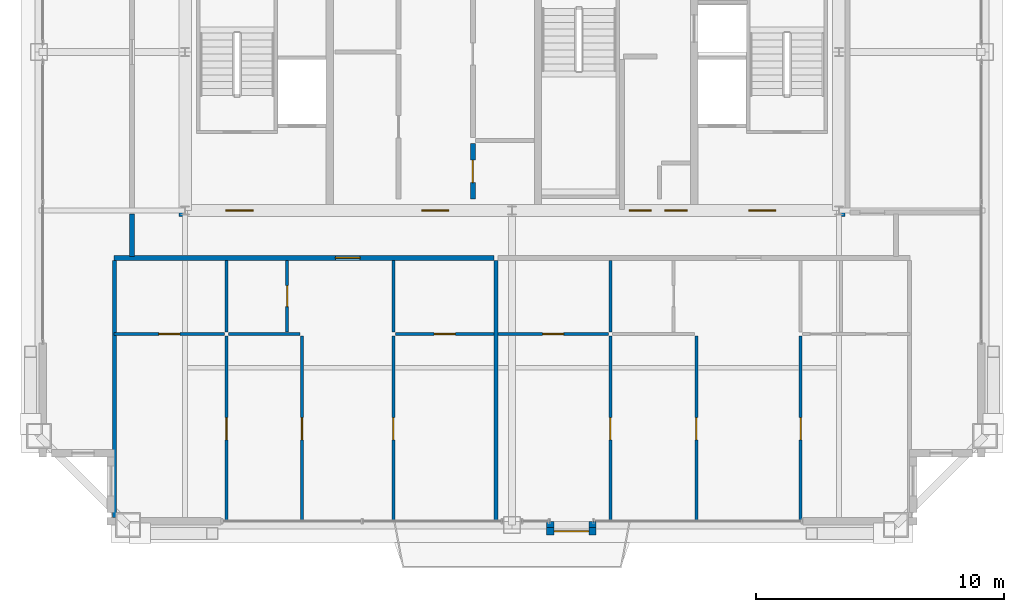
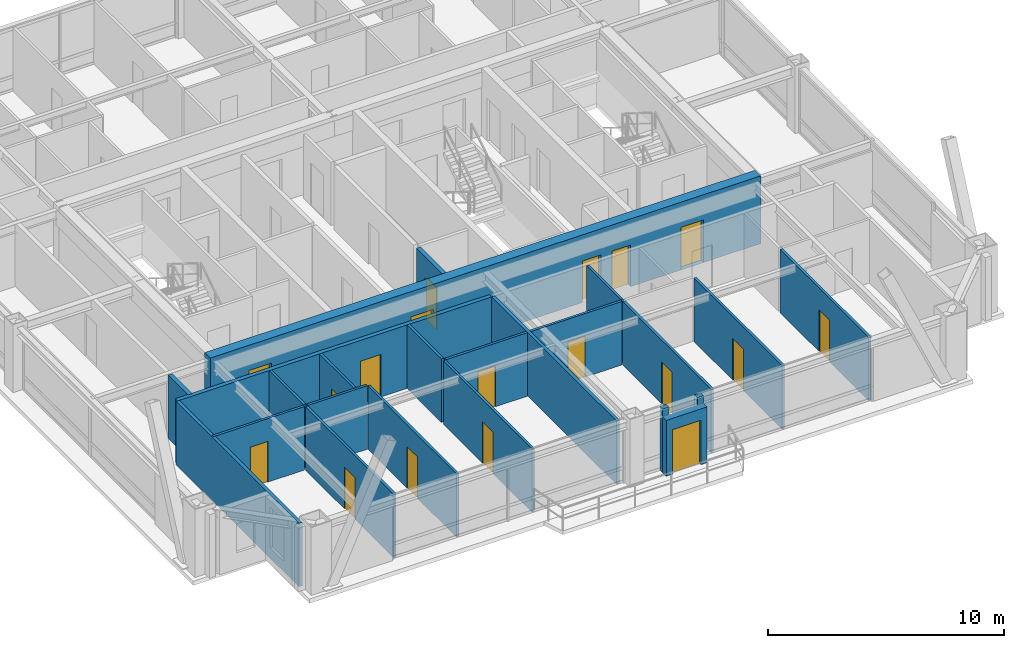
# One storey, part 30 of 35: 23 walls, 18 doors, 18 openings.
"""IFC4 building model written with IfcOpenShell, lengths in metres."""

from ifc_helpers import new_model, si_unit, direction, frame, frame_2d, origin, place, context, subcontext, project, spatial, rectangle, extrude, source, transform, mapped, material, layer, layer_set, type_object, element, fill, save


model = new_model("IFC4")

# Units and contexts
model_context = context("Model", 3, precision=1e-05, world=origin(), true_north=direction((0.0, 1.0)))
body_context = subcontext(model_context, "Body", "Model", "MODEL_VIEW")
ifc_project = project(units=[si_unit("LENGTHUNIT", "METRE"), si_unit("AREAUNIT", "SQUARE_METRE"), si_unit("VOLUMEUNIT", "CUBIC_METRE"), si_unit("PLANEANGLEUNIT", "RADIAN"), si_unit("MASSUNIT", "GRAM", prefix="KILO"), si_unit("THERMODYNAMICTEMPERATUREUNIT", "KELVIN"), si_unit("POWERUNIT", "WATT")], contexts=[model_context])

# Site, building, storey
site_placement = place(None, origin())
site = spatial("IfcSite", under=ifc_project, at=site_placement, CompositionType="ELEMENT")
building_placement = place(site_placement, origin())
building = spatial("IfcBuilding", under=site, at=building_placement, Name="Yuzanri Waterfront Tower", CompositionType="ELEMENT")
storey_placement = place(building_placement, frame((0.0, 0.0, 299.60009765625)))
storey = spatial("IfcBuildingStorey", under=building, at=storey_placement, Name="L80", CompositionType="ELEMENT", Elevation=299.60009765625)

# Wall, opening, door
ifc_material_1 = material(Name="Moisture-Resistant Gypsum Stud Wall", Category="gypsum")
ifc_layer_1 = layer(ifc_material_1, 0.1201171875)
ifc_layer_set_1 = layer_set([ifc_layer_1], Name="Moisture-Resistant Gypsum Stud Wall")
wall_type_1 = type_object("IfcWallType", Name="Bathroom and Kitchen Wet Partition 120", PredefinedType="PARTITIONING", material=ifc_layer_set_1)
wall_1_placement = place(storey_placement, frame((20.93994140625, 14.409912109375, 0.0), z_axis=(0.0, 0.0, 1.0), x_axis=(1.0, 0.0, 0.0)))
wall_1 = element("IfcWall", 1, at=wall_1_placement, inside=storey, type_object=wall_type_1, Name="L80 Partition UW-L80-HS1-SUB-1-S", PredefinedType="PARTITIONING", context=body_context, shape_type="SweptSolid", body=[
    extrude(rectangle(XDim=4.449951171875, YDim=0.1201171875, at=frame_2d((2.22509765625, 0.0))), origin(), (0.0, 0.0, 1.0), 3.27978515625),
])
opening_1_placement = place(wall_1_placement, frame((1.800048828125, 0.0, 0.0)))
opening_1 = element("IfcOpeningElement", 2, at=opening_1_placement, cuts=wall_1, Name="Opening ID-0850", PredefinedType="OPENING", context=body_context, shape_type="SweptSolid", body=[
    extrude(rectangle(XDim=0.85009765625, YDim=2.10009765625, at=frame_2d((0.425048828125, 1.050048828125))), frame((0.0, 0.074951171875, 0.0), z_axis=(0.0, -1.0, 0.0), x_axis=(1.0, 0.0, 0.0)), (0.0, 0.0, 1.0), 0.14990234375),
])
ifc_material_2 = material(Name="Moisture-Resistant Lacquered Timber", Category="wood")
door_type_1 = type_object("IfcDoorType", Name="En-Suite Bathroom and Kitchen Swing Door 850x2100", OperationType="NOTDEFINED", PredefinedType="DOOR", material=ifc_material_2)
shared_shape_1 = source(origin(), body_context, "Body", "SweptSolid", [
    extrude(rectangle(XDim=0.85009765625, YDim=2.10009765625, at=frame_2d((0.425048828125, 1.050048828125))), frame((0.0, 0.02490234375, 0.0), z_axis=(0.0, -1.0, 0.0), x_axis=(1.0, 0.0, 0.0)), (0.0, 0.0, 1.0), 0.050048828125),
])
door_1_placement = place(opening_1_placement, origin())
door_1 = element("IfcDoor", 3, at=door_1_placement, inside=storey, type_object=door_type_1, Name="L80 Suite Interior Room Door", OperationType="SINGLE_SWING_RIGHT", OverallHeight=2.10009765625, OverallWidth=0.85009765625, PredefinedType="DOOR", context=body_context, shape_type="MappedRepresentation", body=[
    mapped(shared_shape_1, transform((0.0, 0.0, 0.0), scale=1.0)),
])
fill(opening_1, door_1)

wall_2_placement = place(storey_placement, frame((27.922119140625, 14.489990234375, 0.0), z_axis=(0.0, 0.0, 1.0), x_axis=(0.0, 1.0, 0.0)))
wall_2 = element("IfcWall", 4, at=wall_2_placement, inside=storey, type_object=wall_type_1, Name="L80 Partition UW-L80-HS1-SUB-2-E", PredefinedType="PARTITIONING", context=body_context, shape_type="SweptSolid", body=[
    extrude(rectangle(XDim=2.89990234375, YDim=0.1201171875, at=frame_2d((1.449951171875, 0.0))), origin(), (0.0, 0.0, 1.0), 3.27978515625),
])
opening_2_placement = place(wall_2_placement, frame((1.02490234375, 0.0, 0.0)))
opening_2 = element("IfcOpeningElement", 5, at=opening_2_placement, cuts=wall_2, Name="Opening ID-0850", PredefinedType="OPENING", context=body_context, shape_type="SweptSolid", body=[
    extrude(rectangle(XDim=0.85009765625, YDim=2.10009765625, at=frame_2d((0.425048828125, 1.050048828125))), frame((0.0, 0.074951171875, 0.0), z_axis=(0.0, -1.0, 0.0), x_axis=(1.0, 0.0, 0.0)), (0.0, 0.0, 1.0), 0.14990234375),
])
door_2_placement = place(opening_2_placement, origin())
door_2 = element("IfcDoor", 6, at=door_2_placement, inside=storey, type_object=door_type_1, Name="L80 Suite Interior Room Door", OperationType="SINGLE_SWING_LEFT", OverallHeight=2.10009765625, OverallWidth=0.85009765625, PredefinedType="DOOR", context=body_context, shape_type="MappedRepresentation", body=[
    mapped(shared_shape_1, transform((0.0, 0.0, 0.0), scale=1.0)),
])
fill(opening_2, door_2)

wall_3_placement = place(storey_placement, frame((32.2900390625, 14.409912109375, 0.0), z_axis=(0.0, 0.0, 1.0), x_axis=(1.0, 0.0, 0.0)))
wall_3 = element("IfcWall", 7, at=wall_3_placement, inside=storey, type_object=wall_type_1, Name="L80 Partition UW-L80-HS1-SUB-3-S", PredefinedType="PARTITIONING", context=body_context, shape_type="SweptSolid", body=[
    extrude(rectangle(XDim=3.988037109375, YDim=0.1201171875, at=frame_2d((1.994140625, 0.0))), origin(), (0.0, 0.0, 1.0), 3.27978515625),
])
opening_3_placement = place(wall_3_placement, frame((1.569091796875, 0.0, 0.0)))
opening_3 = element("IfcOpeningElement", 8, at=opening_3_placement, cuts=wall_3, Name="Opening ID-0850", PredefinedType="OPENING", context=body_context, shape_type="SweptSolid", body=[
    extrude(rectangle(XDim=0.85009765625, YDim=2.10009765625, at=frame_2d((0.425048828125, 1.050048828125))), frame((0.0, 0.074951171875, 0.0), z_axis=(0.0, -1.0, 0.0), x_axis=(1.0, 0.0, 0.0)), (0.0, 0.0, 1.0), 0.14990234375),
])
door_3_placement = place(opening_3_placement, origin())
door_3 = element("IfcDoor", 9, at=door_3_placement, inside=storey, type_object=door_type_1, Name="L80 Suite Interior Room Door", OperationType="SINGLE_SWING_RIGHT", OverallHeight=2.10009765625, OverallWidth=0.85009765625, PredefinedType="DOOR", context=body_context, shape_type="MappedRepresentation", body=[
    mapped(shared_shape_1, transform((0.0, 0.0, 0.0), scale=1.0)),
])
fill(opening_3, door_3)

wall_4_placement = place(storey_placement, frame((25.469970703125, 6.85009765625, 0.0), z_axis=(0.0, 0.0, 1.0), x_axis=(0.0, 1.0, 0.0)))
wall_4 = element("IfcWall", 10, at=wall_4_placement, inside=storey, type_object=wall_type_1, Name="L80 Partition UW-L80-HS1-SUB-4-E", PredefinedType="PARTITIONING", context=body_context, shape_type="SweptSolid", body=[
    extrude(rectangle(XDim=7.47998046875, YDim=0.1201171875, at=frame_2d((3.739990234375, 0.0))), origin(), (0.0, 0.0, 1.0), 3.27978515625),
])
opening_4_placement = place(wall_4_placement, frame((3.2900390625, 0.0, 0.0)))
opening_4 = element("IfcOpeningElement", 11, at=opening_4_placement, cuts=wall_4, Name="Opening ID-0900", PredefinedType="OPENING", context=body_context, shape_type="SweptSolid", body=[
    extrude(rectangle(XDim=0.89990234375, YDim=2.14990234375, at=frame_2d((0.449951171875, 1.074951171875))), frame((0.0, 0.074951171875, 0.0), z_axis=(0.0, -1.0, 0.0), x_axis=(1.0, 0.0, 0.0)), (0.0, 0.0, 1.0), 0.14990234375),
])
ifc_material_3 = material(Name="Stained Walnut Veneer Timber", Category="wood")
door_type_2 = type_object("IfcDoorType", Name="Bedroom and Study Interior Swing Door 900x2150", OperationType="NOTDEFINED", PredefinedType="DOOR", material=ifc_material_3)
shared_shape_2 = source(origin(), body_context, "Body", "SweptSolid", [
    extrude(rectangle(XDim=0.89990234375, YDim=2.14990234375, at=frame_2d((0.449951171875, 1.074951171875))), frame((0.0, 0.02490234375, 0.0), z_axis=(0.0, -1.0, 0.0), x_axis=(1.0, 0.0, 0.0)), (0.0, 0.0, 1.0), 0.050048828125),
])
door_4_placement = place(opening_4_placement, origin())
door_4 = element("IfcDoor", 12, at=door_4_placement, inside=storey, type_object=door_type_2, Name="L80 Suite Interior Room Door", OperationType="SINGLE_SWING_LEFT", OverallHeight=2.14990234375, OverallWidth=0.89990234375, PredefinedType="DOOR", context=body_context, shape_type="MappedRepresentation", body=[
    mapped(shared_shape_2, transform((0.0, 0.0, 0.0), scale=1.0)),
])
fill(opening_4, door_4)

wall_5_placement = place(storey_placement, frame((32.2099609375, 6.85009765625, 0.0), z_axis=(0.0, 0.0, 1.0), x_axis=(0.0, 1.0, 0.0)))
wall_5 = element("IfcWall", 13, at=wall_5_placement, inside=storey, type_object=wall_type_1, Name="L80 Partition UW-L80-HS1-SUB-5-W", PredefinedType="PARTITIONING", context=body_context, shape_type="SweptSolid", body=[
    extrude(rectangle(XDim=7.47998046875, YDim=0.1201171875, at=frame_2d((3.739990234375, 0.0))), origin(), (0.0, 0.0, 1.0), 3.27978515625),
])
opening_5_placement = place(wall_5_placement, frame((3.2900390625, 0.0, 0.0)))
opening_5 = element("IfcOpeningElement", 14, at=opening_5_placement, cuts=wall_5, Name="Opening ID-0900", PredefinedType="OPENING", context=body_context, shape_type="SweptSolid", body=[
    extrude(rectangle(XDim=0.89990234375, YDim=2.14990234375, at=frame_2d((0.449951171875, 1.074951171875))), frame((0.0, 0.074951171875, 0.0), z_axis=(0.0, -1.0, 0.0), x_axis=(1.0, 0.0, 0.0)), (0.0, 0.0, 1.0), 0.14990234375),
])
door_5_placement = place(opening_5_placement, origin())
door_5 = element("IfcDoor", 15, at=door_5_placement, inside=storey, type_object=door_type_2, Name="L80 Suite Interior Room Door", OperationType="SINGLE_SWING_RIGHT", OverallHeight=2.14990234375, OverallWidth=0.89990234375, PredefinedType="DOOR", context=body_context, shape_type="MappedRepresentation", body=[
    mapped(shared_shape_2, transform((0.0, 0.0, 0.0), scale=1.0)),
])
fill(opening_5, door_5)

wall_6_placement = place(storey_placement, frame((28.52490234375, 6.85009765625, 0.0), z_axis=(0.0, 0.0, 1.0), x_axis=(0.0, 1.0, 0.0)))
wall_6 = element("IfcWall", 16, at=wall_6_placement, inside=storey, type_object=wall_type_1, Name="L80 Partition UW-L80-HS1-SUB-6-E", PredefinedType="PARTITIONING", context=body_context, shape_type="SweptSolid", body=[
    extrude(rectangle(XDim=7.47998046875, YDim=0.1201171875, at=frame_2d((3.739990234375, 0.0))), origin(), (0.0, 0.0, 1.0), 3.27978515625),
])
opening_6_placement = place(wall_6_placement, frame((3.2900390625, 0.0, 0.0)))
opening_6 = element("IfcOpeningElement", 17, at=opening_6_placement, cuts=wall_6, Name="Opening ID-0900", PredefinedType="OPENING", context=body_context, shape_type="SweptSolid", body=[
    extrude(rectangle(XDim=0.89990234375, YDim=2.14990234375, at=frame_2d((0.449951171875, 1.074951171875))), frame((0.0, 0.074951171875, 0.0), z_axis=(0.0, -1.0, 0.0), x_axis=(1.0, 0.0, 0.0)), (0.0, 0.0, 1.0), 0.14990234375),
])
door_6_placement = place(opening_6_placement, origin())
door_6 = element("IfcDoor", 18, at=door_6_placement, inside=storey, type_object=door_type_2, Name="L80 Suite Interior Room Door", OperationType="SINGLE_SWING_LEFT", OverallHeight=2.14990234375, OverallWidth=0.89990234375, PredefinedType="DOOR", context=body_context, shape_type="MappedRepresentation", body=[
    mapped(shared_shape_2, transform((0.0, 0.0, 0.0), scale=1.0)),
])
fill(opening_6, door_6)

wall_7_placement = place(storey_placement, frame((36.43798828125, 14.409912109375, 0.0), z_axis=(0.0, 0.0, 1.0), x_axis=(1.0, 0.0, 0.0)))
wall_7 = element("IfcWall", 19, at=wall_7_placement, inside=storey, type_object=wall_type_1, Name="L80 Partition UW-L80-HS2-SUB-1-S", PredefinedType="PARTITIONING", context=body_context, shape_type="SweptSolid", body=[
    extrude(rectangle(XDim=4.449951171875, YDim=0.1201171875, at=frame_2d((2.22509765625, 0.0))), origin(), (0.0, 0.0, 1.0), 3.27978515625),
])
opening_7_placement = place(wall_7_placement, frame((1.800048828125, 0.0, 0.0)))
opening_7 = element("IfcOpeningElement", 20, at=opening_7_placement, cuts=wall_7, Name="Opening ID-0850", PredefinedType="OPENING", context=body_context, shape_type="SweptSolid", body=[
    extrude(rectangle(XDim=0.85009765625, YDim=2.10009765625, at=frame_2d((0.425048828125, 1.050048828125))), frame((0.0, 0.074951171875, 0.0), z_axis=(0.0, -1.0, 0.0), x_axis=(1.0, 0.0, 0.0)), (0.0, 0.0, 1.0), 0.14990234375),
])
door_7_placement = place(opening_7_placement, origin())
door_7 = element("IfcDoor", 21, at=door_7_placement, inside=storey, type_object=door_type_1, Name="L80 Suite Interior Room Door", OperationType="SINGLE_SWING_LEFT", OverallHeight=2.10009765625, OverallWidth=0.85009765625, PredefinedType="DOOR", context=body_context, shape_type="MappedRepresentation", body=[
    mapped(shared_shape_1, transform((0.0, 0.0, 0.0), scale=1.0)),
])
fill(opening_7, door_7)

wall_8_placement = place(storey_placement, frame((40.968017578125, 6.85009765625, 0.0), z_axis=(0.0, 0.0, 1.0), x_axis=(0.0, 1.0, 0.0)))
wall_8 = element("IfcWall", 22, at=wall_8_placement, inside=storey, type_object=wall_type_1, Name="L80 Partition UW-L80-HS2-SUB-5-E", PredefinedType="PARTITIONING", context=body_context, shape_type="SweptSolid", body=[
    extrude(rectangle(XDim=7.47998046875, YDim=0.1201171875, at=frame_2d((3.739990234375, 0.0))), origin(), (0.0, 0.0, 1.0), 3.27978515625),
])
opening_8_placement = place(wall_8_placement, frame((3.2900390625, 0.0, 0.0)))
opening_8 = element("IfcOpeningElement", 23, at=opening_8_placement, cuts=wall_8, Name="Opening ID-0900", PredefinedType="OPENING", context=body_context, shape_type="SweptSolid", body=[
    extrude(rectangle(XDim=0.89990234375, YDim=2.14990234375, at=frame_2d((0.449951171875, 1.074951171875))), frame((0.0, 0.074951171875, 0.0), z_axis=(0.0, -1.0, 0.0), x_axis=(1.0, 0.0, 0.0)), (0.0, 0.0, 1.0), 0.14990234375),
])
door_8_placement = place(opening_8_placement, origin())
door_8 = element("IfcDoor", 24, at=door_8_placement, inside=storey, type_object=door_type_2, Name="L80 Suite Interior Room Door", OperationType="SINGLE_SWING_LEFT", OverallHeight=2.14990234375, OverallWidth=0.89990234375, PredefinedType="DOOR", context=body_context, shape_type="MappedRepresentation", body=[
    mapped(shared_shape_2, transform((0.0, 0.0, 0.0), scale=1.0)),
])
fill(opening_8, door_8)

wall_9_placement = place(storey_placement, frame((48.657958984375, 6.85009765625, 0.0), z_axis=(0.0, 0.0, 1.0), x_axis=(0.0, 1.0, 0.0)))
wall_9 = element("IfcWall", 25, at=wall_9_placement, inside=storey, type_object=wall_type_1, Name="L80 Partition UW-L80-HS2-SUB-6-W", PredefinedType="PARTITIONING", context=body_context, shape_type="SweptSolid", body=[
    extrude(rectangle(XDim=7.47998046875, YDim=0.1201171875, at=frame_2d((3.739990234375, 0.0))), origin(), (0.0, 0.0, 1.0), 3.27978515625),
])
opening_9_placement = place(wall_9_placement, frame((3.2900390625, 0.0, 0.0)))
opening_9 = element("IfcOpeningElement", 26, at=opening_9_placement, cuts=wall_9, Name="Opening ID-0900", PredefinedType="OPENING", context=body_context, shape_type="SweptSolid", body=[
    extrude(rectangle(XDim=0.89990234375, YDim=2.14990234375, at=frame_2d((0.449951171875, 1.074951171875))), frame((0.0, 0.074951171875, 0.0), z_axis=(0.0, -1.0, 0.0), x_axis=(1.0, 0.0, 0.0)), (0.0, 0.0, 1.0), 0.14990234375),
])
door_9_placement = place(opening_9_placement, origin())
door_9 = element("IfcDoor", 27, at=door_9_placement, inside=storey, type_object=door_type_2, Name="L80 Suite Interior Room Door", OperationType="SINGLE_SWING_RIGHT", OverallHeight=2.14990234375, OverallWidth=0.89990234375, PredefinedType="DOOR", context=body_context, shape_type="MappedRepresentation", body=[
    mapped(shared_shape_2, transform((0.0, 0.0, 0.0), scale=1.0)),
])
fill(opening_9, door_9)

wall_10_placement = place(storey_placement, frame((44.44091796875, 6.85009765625, 0.0), z_axis=(0.0, 0.0, 1.0), x_axis=(0.0, 1.0, 0.0)))
wall_10 = element("IfcWall", 28, at=wall_10_placement, inside=storey, type_object=wall_type_1, Name="L80 Partition UW-L80-HS2-SUB-7-E", PredefinedType="PARTITIONING", context=body_context, shape_type="SweptSolid", body=[
    extrude(rectangle(XDim=7.47998046875, YDim=0.1201171875, at=frame_2d((3.739990234375, 0.0))), origin(), (0.0, 0.0, 1.0), 3.27978515625),
])
opening_10_placement = place(wall_10_placement, frame((3.2900390625, 0.0, 0.0)))
opening_10 = element("IfcOpeningElement", 29, at=opening_10_placement, cuts=wall_10, Name="Opening ID-0900", PredefinedType="OPENING", context=body_context, shape_type="SweptSolid", body=[
    extrude(rectangle(XDim=0.89990234375, YDim=2.14990234375, at=frame_2d((0.449951171875, 1.074951171875))), frame((0.0, 0.074951171875, 0.0), z_axis=(0.0, -1.0, 0.0), x_axis=(1.0, 0.0, 0.0)), (0.0, 0.0, 1.0), 0.14990234375),
])
door_10_placement = place(opening_10_placement, origin())
door_10 = element("IfcDoor", 30, at=door_10_placement, inside=storey, type_object=door_type_2, Name="L80 Suite Interior Room Door", OperationType="SINGLE_SWING_LEFT", OverallHeight=2.14990234375, OverallWidth=0.89990234375, PredefinedType="DOOR", context=body_context, shape_type="MappedRepresentation", body=[
    mapped(shared_shape_2, transform((0.0, 0.0, 0.0), scale=1.0)),
])
fill(opening_10, door_10)

ifc_material_4 = material(Name="Honed Chongqing Dark Basalt Stone", Category="masonry")
ifc_layer_2 = layer(ifc_material_4, 0.300048828125)
ifc_layer_set_2 = layer_set([ifc_layer_2], Name="Honed Chongqing Dark Basalt Stone")
wall_type_2 = type_object("IfcWallType", Name="Bronze Rainscreen Insulated Spandrel Portal Wall 300", PredefinedType="SOLIDWALL", material=ifc_layer_set_2)
wall_11_placement = place(storey_placement, frame((38.39990234375, 6.449951171875, 0.0), z_axis=(0.0, 0.0, 1.0), x_axis=(1.0, 0.0, 0.0)))
wall_11 = element("IfcWall", 31, at=wall_11_placement, inside=storey, type_object=wall_type_2, Name="L80 S Terrace Door Portal Wall", PredefinedType="SOLIDWALL", context=body_context, shape_type="SweptSolid", body=[
    extrude(rectangle(XDim=2.0, YDim=0.300048828125, at=frame_2d((1.0, 0.0))), origin(), (0.0, 0.0, 1.0), 2.885009765625),
])
opening_11_placement = place(wall_11_placement, frame((0.300048828125, 0.0, 0.0)))
opening_11 = element("IfcOpeningElement", 32, at=opening_11_placement, cuts=wall_11, Name="Opening TD-1400", PredefinedType="OPENING", context=body_context, shape_type="SweptSolid", body=[
    extrude(rectangle(XDim=1.39990234375, YDim=2.300048828125, at=frame_2d((0.699951171875, 1.14990234375))), frame((0.0, 0.1650390625, 0.0), z_axis=(0.0, -1.0, 0.0), x_axis=(1.0, 0.0, 0.0)), (0.0, 0.0, 1.0), 0.329833984375),
])
ifc_material_5 = material(Name="Anodized Architectural Bronze", Category="metal")
door_type_3 = type_object("IfcDoorType", Name="Anodized Bronze Balcony and Terrace Glazed Double Door 1400x2300", OperationType="NOTDEFINED", PredefinedType="DOOR", material=ifc_material_5)
shared_shape_3 = source(origin(), body_context, "Body", "SweptSolid", [
    extrude(rectangle(XDim=1.39990234375, YDim=2.300048828125, at=frame_2d((0.699951171875, 1.14990234375))), frame((0.0, 0.02490234375, 0.0), z_axis=(0.0, -1.0, 0.0), x_axis=(1.0, 0.0, 0.0)), (0.0, 0.0, 1.0), 0.050048828125),
])
door_11_placement = place(opening_11_placement, origin())
door_11 = element("IfcDoor", 33, at=door_11_placement, inside=storey, type_object=door_type_3, Name="L80 S Terrace Glazed Double Door", OperationType="DOUBLE_DOOR_SINGLE_SWING", OverallHeight=2.300048828125, OverallWidth=1.39990234375, PredefinedType="DOOR", context=body_context, shape_type="MappedRepresentation", body=[
    mapped(shared_shape_3, transform((0.0, 0.0, 0.0), scale=1.0)),
])
fill(opening_11, door_11)

# Wall, openings, doors
ifc_material_6 = material(Name="Concrete C45", Category="concrete")
ifc_layer_3 = layer(ifc_material_6, 0.47998046875)
ifc_layer_set_3 = layer_set([ifc_layer_3], Name="Concrete C45")
wall_type_3 = type_object("IfcWallType", Name="Concrete C45 High-Rise Core Shear Wall 480", PredefinedType="SHEAR", material=ifc_layer_set_3)
wall_12_placement = place(storey_placement, frame((23.56005859375, 19.39990234375, 0.0), z_axis=(0.0, 0.0, 1.0), x_axis=(1.0, 0.0, 0.0)))
wall_12 = element("IfcWall", 34, at=wall_12_placement, inside=storey, type_object=wall_type_3, Name="L80 Core South Shear Wall", PredefinedType="SHEAR", context=body_context, shape_type="SweptSolid", body=[
    extrude(rectangle(XDim=26.8798828125, YDim=0.47998046875, at=frame_2d((13.43994140625, 0.0))), origin(), (0.0, 0.0, 1.0), 3.5),
])
opening_12_placement = place(wall_12_placement, frame((1.889892578125, 0.0, 0.0)))
opening_12 = element("IfcOpeningElement", 35, at=opening_12_placement, cuts=wall_12, Name="Opening FD-1100", PredefinedType="OPENING", context=body_context, shape_type="SweptSolid", body=[
    extrude(rectangle(XDim=1.10009765625, YDim=2.199951171875, at=frame_2d((0.550048828125, 1.10009765625))), frame((0.0, 0.2548828125, 0.0), z_axis=(0.0, -1.0, 0.0), x_axis=(1.0, 0.0, 0.0)), (0.0, 0.0, 1.0), 0.509765625),
])
opening_13_placement = place(wall_12_placement, frame((9.7900390625, 0.0, 0.0)))
opening_13 = element("IfcOpeningElement", 36, at=opening_13_placement, cuts=wall_12, Name="Opening FD-1100", PredefinedType="OPENING", context=body_context, shape_type="SweptSolid", body=[
    extrude(rectangle(XDim=1.10009765625, YDim=2.199951171875, at=frame_2d((0.550048828125, 1.10009765625))), frame((0.0, 0.2548828125, 0.0), z_axis=(0.0, -1.0, 0.0), x_axis=(1.0, 0.0, 0.0)), (0.0, 0.0, 1.0), 0.509765625),
])
opening_14_placement = place(wall_12_placement, frame((22.989990234375, 0.0, 0.0)))
opening_14 = element("IfcOpeningElement", 37, at=opening_14_placement, cuts=wall_12, Name="Opening FD-1100", PredefinedType="OPENING", context=body_context, shape_type="SweptSolid", body=[
    extrude(rectangle(XDim=1.10009765625, YDim=2.199951171875, at=frame_2d((0.550048828125, 1.10009765625))), frame((0.0, 0.2548828125, 0.0), z_axis=(0.0, -1.0, 0.0), x_axis=(1.0, 0.0, 0.0)), (0.0, 0.0, 1.0), 0.509765625),
])
opening_15_placement = place(wall_12_placement, frame((19.610107421875, 0.0, 0.0)))
opening_15 = element("IfcOpeningElement", 38, at=opening_15_placement, cuts=wall_12, Name="Opening FD-0900", PredefinedType="OPENING", context=body_context, shape_type="SweptSolid", body=[
    extrude(rectangle(XDim=0.89990234375, YDim=2.14990234375, at=frame_2d((0.449951171875, 1.074951171875))), frame((0.0, 0.2548828125, 0.0), z_axis=(0.0, -1.0, 0.0), x_axis=(1.0, 0.0, 0.0)), (0.0, 0.0, 1.0), 0.509765625),
])
opening_16_placement = place(wall_12_placement, frame((18.169921875, 0.0, 0.0)))
opening_16 = element("IfcOpeningElement", 39, at=opening_16_placement, cuts=wall_12, Name="Opening FD-0900", PredefinedType="OPENING", context=body_context, shape_type="SweptSolid", body=[
    extrude(rectangle(XDim=0.89990234375, YDim=2.14990234375, at=frame_2d((0.449951171875, 1.074951171875))), frame((0.0, 0.2548828125, 0.0), z_axis=(0.0, -1.0, 0.0), x_axis=(1.0, 0.0, 0.0)), (0.0, 0.0, 1.0), 0.509765625),
])
ifc_material_7 = material(Name="Painted Galvanized Fire Steel", Category="steel")
door_type_4 = type_object("IfcDoorType", Name="Smoke-Proof Stair and Lobby Fire Door 1100x2200", OperationType="NOTDEFINED", PredefinedType="DOOR", material=ifc_material_7)
shared_shape_4 = source(origin(), body_context, "Body", "SweptSolid", [
    extrude(rectangle(XDim=1.10009765625, YDim=2.199951171875, at=frame_2d((0.550048828125, 1.10009765625))), frame((0.0, 0.02490234375, 0.0), z_axis=(0.0, -1.0, 0.0), x_axis=(1.0, 0.0, 0.0)), (0.0, 0.0, 1.0), 0.050048828125),
])
door_12_placement = place(opening_12_placement, origin())
door_12 = element("IfcDoor", 40, at=door_12_placement, inside=storey, type_object=door_type_4, Name="L80 West Firefighting Lobby Door", OperationType="SINGLE_SWING_LEFT", OverallHeight=2.199951171875, OverallWidth=1.10009765625, PredefinedType="DOOR", context=body_context, shape_type="MappedRepresentation", body=[
    mapped(shared_shape_4, transform((0.0, 0.0, 0.0), scale=1.0)),
])
fill(opening_12, door_12)
door_13_placement = place(opening_13_placement, origin())
door_13 = element("IfcDoor", 41, at=door_13_placement, inside=storey, type_object=door_type_4, Name="L80 Central Lift Lobby South Door", OperationType="SINGLE_SWING_RIGHT", OverallHeight=2.199951171875, OverallWidth=1.10009765625, PredefinedType="DOOR", context=body_context, shape_type="MappedRepresentation", body=[
    mapped(shared_shape_4, transform((0.0, 0.0, 0.0), scale=1.0)),
])
fill(opening_13, door_13)
door_14_placement = place(opening_14_placement, origin())
door_14 = element("IfcDoor", 42, at=door_14_placement, inside=storey, type_object=door_type_4, Name="L80 East Firefighting Lobby Door", OperationType="SINGLE_SWING_LEFT", OverallHeight=2.199951171875, OverallWidth=1.10009765625, PredefinedType="DOOR", context=body_context, shape_type="MappedRepresentation", body=[
    mapped(shared_shape_4, transform((0.0, 0.0, 0.0), scale=1.0)),
])
fill(opening_14, door_14)
ifc_material_8 = material(Name="Painted Galvanized Fire Steel", Category="steel")
door_type_5 = type_object("IfcDoorType", Name="Riser and Service Room Fire Door 900x2150", OperationType="NOTDEFINED", PredefinedType="DOOR", material=ifc_material_8)
shared_shape_5 = source(origin(), body_context, "Body", "SweptSolid", [
    extrude(rectangle(XDim=0.89990234375, YDim=2.14990234375, at=frame_2d((0.449951171875, 1.074951171875))), frame((0.0, 0.02490234375, 0.0), z_axis=(0.0, -1.0, 0.0), x_axis=(1.0, 0.0, 0.0)), (0.0, 0.0, 1.0), 0.050048828125),
])
door_15_placement = place(opening_15_placement, origin())
door_15 = element("IfcDoor", 43, at=door_15_placement, inside=storey, type_object=door_type_5, Name="L80 East Wet Riser Door", OperationType="SINGLE_SWING_LEFT", OverallHeight=2.14990234375, OverallWidth=0.89990234375, PredefinedType="DOOR", context=body_context, shape_type="MappedRepresentation", body=[
    mapped(shared_shape_5, transform((0.0, 0.0, 0.0), scale=1.0)),
])
fill(opening_15, door_15)
door_16_placement = place(opening_16_placement, origin())
door_16 = element("IfcDoor", 44, at=door_16_placement, inside=storey, type_object=door_type_5, Name="L80 Cleaners Store Room", OperationType="SINGLE_SWING_RIGHT", OverallHeight=2.14990234375, OverallWidth=0.89990234375, PredefinedType="DOOR", context=body_context, shape_type="MappedRepresentation", body=[
    mapped(shared_shape_5, transform((0.0, 0.0, 0.0), scale=1.0)),
])
fill(opening_16, door_16)

# Wall, opening, door
ifc_material_9 = material(Name="Autoclaved Aerated Concrete Blockwork", Category="masonry")
ifc_layer_4 = layer(ifc_material_9, 0.199951171875)
ifc_layer_set_4 = layer_set([ifc_layer_4], Name="Autoclaved Aerated Concrete Blockwork")
wall_type_4 = type_object("IfcWallType", Name="Corridor and Unit Party Fire Wall 200", PredefinedType="PARTITIONING", material=ifc_layer_set_4)
wall_13_placement = place(storey_placement, frame((35.419921875, 19.860107421875, 0.0), z_axis=(0.0, 0.0, 1.0), x_axis=(0.0, 1.0, 0.0)))
wall_13 = element("IfcWall", 45, at=wall_13_placement, inside=storey, type_object=wall_type_4, Name="L80 Partition CRW-L80-B2R-1", PredefinedType="PARTITIONING", context=body_context, shape_type="SweptSolid", body=[
    extrude(rectangle(XDim=2.239990234375, YDim=0.199951171875, at=frame_2d((1.1201171875, 0.0))), origin(), (0.0, 0.0, 1.0), 3.27978515625),
])
opening_17_placement = place(wall_13_placement, frame((0.669921875, 0.0, 0.0)))
opening_17 = element("IfcOpeningElement", 46, at=opening_17_placement, cuts=wall_13, Name="Opening FD-0900", PredefinedType="OPENING", context=body_context, shape_type="SweptSolid", body=[
    extrude(rectangle(XDim=0.89990234375, YDim=2.14990234375, at=frame_2d((0.449951171875, 1.074951171875))), frame((0.0, 0.11474609375, 0.0), z_axis=(0.0, -1.0, 0.0), x_axis=(1.0, 0.0, 0.0)), (0.0, 0.0, 1.0), 0.229736328125),
])
door_17_placement = place(opening_17_placement, origin())
door_17 = element("IfcDoor", 47, at=door_17_placement, inside=storey, type_object=door_type_5, Name="L80 Service Duct Shaft", OperationType="SINGLE_SWING_LEFT", OverallHeight=2.14990234375, OverallWidth=0.89990234375, PredefinedType="DOOR", context=body_context, shape_type="MappedRepresentation", body=[
    mapped(shared_shape_5, transform((0.0, 0.0, 0.0), scale=1.0)),
])
fill(opening_17, door_17)

wall_14_placement = place(storey_placement, frame((20.93994140625, 17.489990234375, 0.0), z_axis=(0.0, 0.0, 1.0), x_axis=(1.0, 0.0, 0.0)))
wall_14 = element("IfcWall", 48, at=wall_14_placement, inside=storey, type_object=wall_type_4, Name="L80 Partition UW-L80-HS1-CN", PredefinedType="PARTITIONING", context=body_context, shape_type="SweptSolid", body=[
    extrude(rectangle(XDim=15.338134765625, YDim=0.199951171875, at=frame_2d((7.6689453125, 0.0))), origin(), (0.0, 0.0, 1.0), 3.27978515625),
])
opening_18_placement = place(wall_14_placement, frame((8.927001953125, 0.0, 0.0)))
opening_18 = element("IfcOpeningElement", 49, at=opening_18_placement, cuts=wall_14, Name="Opening FD-1000", PredefinedType="OPENING", context=body_context, shape_type="SweptSolid", body=[
    extrude(rectangle(XDim=1.0, YDim=2.199951171875, at=frame_2d((0.5, 1.10009765625))), frame((0.0, 0.11474609375, 0.0), z_axis=(0.0, -1.0, 0.0), x_axis=(1.0, 0.0, 0.0)), (0.0, 0.0, 1.0), 0.229736328125),
])
ifc_material_10 = material(Name="Engineered Oak Fire-Rated Timber", Category="wood")
door_type_6 = type_object("IfcDoorType", Name="Guestroom and Apartment Entrance Fire Door 1000x2200", OperationType="NOTDEFINED", PredefinedType="DOOR", material=ifc_material_10)
shared_shape_6 = source(origin(), body_context, "Body", "SweptSolid", [
    extrude(rectangle(XDim=1.0, YDim=2.199951171875, at=frame_2d((0.5, 1.10009765625))), frame((0.0, 0.02490234375, 0.0), z_axis=(0.0, -1.0, 0.0), x_axis=(1.0, 0.0, 0.0)), (0.0, 0.0, 1.0), 0.050048828125),
])
door_18_placement = place(opening_18_placement, origin())
door_18 = element("IfcDoor", 50, at=door_18_placement, inside=storey, type_object=door_type_6, Name="L80 Apartment Living and Dining Salon Entrance Door", OperationType="SINGLE_SWING_LEFT", OverallHeight=2.199951171875, OverallWidth=1.0, PredefinedType="DOOR", context=body_context, shape_type="MappedRepresentation", body=[
    mapped(shared_shape_6, transform((0.0, 0.0, 0.0), scale=1.0)),
])
fill(opening_18, door_18)

# Walls
shared_shape_7 = source(origin(), body_context, "Body", "SweptSolid", [
    extrude(rectangle(XDim=0.25, YDim=0.300048828125, at=frame_2d((0.125, 0.0))), origin(), (0.0, 0.0, 1.0), 3.27978515625),
])
for number, where, z_axis, x_axis, name in (
    (51, (38.550048828125, 6.85009765625, 0.0), (0.0, 0.0, 1.0), (0.0, -1.0, 0.0), "L80 S Terrace Portal Left Return"),
    (52, (40.25, 6.60009765625, 0.0), (0.0, 0.0, 1.0), (0.0, 1.0, 0.0), "L80 S Terrace Portal Right Return"),
):
    element("IfcWall", number, at=place(storey_placement, frame(where, z_axis=z_axis, x_axis=x_axis)), inside=storey, type_object=wall_type_2, Name=name, PredefinedType="SOLIDWALL", context=body_context, shape_type="MappedRepresentation", body=[
        mapped(shared_shape_7, transform((0.0, 0.0, 0.0), scale=1.0)),
    ])
shared_shape_8 = source(origin(), body_context, "Body", "SweptSolid", [
    extrude(rectangle(XDim=1.699951171875, YDim=0.199951171875, at=frame_2d((0.85009765625, 0.0))), origin(), (0.0, 0.0, 1.0), 3.27978515625),
])
wall_15_placement = place(storey_placement, frame((21.64990234375, 17.550048828125, 0.0), z_axis=(0.0, 0.0, 1.0), x_axis=(0.0, 1.0, 0.0)))
element("IfcWall", 53, at=wall_15_placement, inside=storey, type_object=wall_type_4, Name="L80 South Foyer West End Wall", PredefinedType="PARTITIONING", context=body_context, shape_type="MappedRepresentation", body=[
    mapped(shared_shape_8, transform((0.0, 0.0, 0.0), scale=1.0)),
])
ifc_material_11 = material(Name="Gypsum Fireboard Acoustic Stud Wall", Category="gypsum")
ifc_layer_5 = layer(ifc_material_11, 0.159912109375)
ifc_layer_set_5 = layer_set([ifc_layer_5], Name="Gypsum Fireboard Acoustic Stud Wall")
wall_type_5 = type_object("IfcWallType", Name="Acoustic Suite Demising Partition 160", PredefinedType="PARTITIONING", material=ifc_layer_set_5)
shared_shape_9 = source(origin(), body_context, "Body", "SweptSolid", [
    extrude(rectangle(XDim=10.539794921875, YDim=0.159912109375, at=frame_2d((5.27001953125, 0.0))), origin(), (0.0, 0.0, 1.0), 3.27978515625),
])
wall_16_placement = place(storey_placement, frame((36.35791015625, 6.85009765625, 0.0), z_axis=(0.0, 0.0, 1.0), x_axis=(0.0, 1.0, 0.0)))
element("IfcWall", 54, at=wall_16_placement, inside=storey, type_object=wall_type_5, Name="L80-HS1 Party Wall", PredefinedType="PARTITIONING", context=body_context, shape_type="MappedRepresentation", body=[
    mapped(shared_shape_9, transform((0.0, 0.0, 0.0), scale=1.0)),
])
shared_shape_10 = source(origin(), body_context, "Body", "SweptSolid", [
    extrude(rectangle(XDim=2.89990234375, YDim=0.1201171875, at=frame_2d((1.449951171875, 0.0))), origin(), (0.0, 0.0, 1.0), 3.27978515625),
])
for number, where, z_axis, x_axis, name in (
    (55, (25.469970703125, 14.489990234375, 0.0), (0.0, 0.0, 1.0), (0.0, 1.0, 0.0), "L80 Partition UW-L80-HS1-SUB-1-E"),
    (56, (32.2099609375, 14.489990234375, 0.0), (0.0, 0.0, 1.0), (0.0, 1.0, 0.0), "L80 Partition UW-L80-HS1-SUB-3-W"),
    (57, (40.968017578125, 14.489990234375, 0.0), (0.0, 0.0, 1.0), (0.0, 1.0, 0.0), "L80 Partition UW-L80-HS2-SUB-1-E"),
):
    element("IfcWall", number, at=place(storey_placement, frame(where, z_axis=z_axis, x_axis=x_axis)), inside=storey, type_object=wall_type_1, Name=name, PredefinedType="PARTITIONING", context=body_context, shape_type="MappedRepresentation", body=[
        mapped(shared_shape_10, transform((0.0, 0.0, 0.0), scale=1.0)),
    ])
shared_shape_11 = source(origin(), body_context, "Body", "SweptSolid", [
    extrude(rectangle(XDim=10.389892578125, YDim=0.159912109375, at=frame_2d((5.19482421875, 0.0))), origin(), (0.0, 0.0, 1.0), 3.27978515625),
])
wall_17_placement = place(storey_placement, frame((20.949951171875, 7.0, 0.0), z_axis=(0.0, 0.0, 1.0), x_axis=(0.0, 1.0, 0.0)))
element("IfcWall", 58, at=wall_17_placement, inside=storey, type_object=wall_type_5, Name="L80 South Band West End Wall", PredefinedType="PARTITIONING", context=body_context, shape_type="MappedRepresentation", body=[
    mapped(shared_shape_11, transform((0.0, 0.0, 0.0), scale=1.0)),
])
shared_shape_12 = source(origin(), body_context, "Body", "SweptSolid", [
    extrude(rectangle(XDim=2.89501953125, YDim=0.1201171875, at=frame_2d((1.447509765625, 0.0))), origin(), (0.0, 0.0, 1.0), 3.27978515625),
])
wall_18_placement = place(storey_placement, frame((25.550048828125, 14.409912109375, 0.0), z_axis=(0.0, 0.0, 1.0), x_axis=(1.0, 0.0, 0.0)))
element("IfcWall", 59, at=wall_18_placement, inside=storey, type_object=wall_type_1, Name="L80 Partition UW-L80-HS1-SUB-6-N", PredefinedType="PARTITIONING", context=body_context, shape_type="MappedRepresentation", body=[
    mapped(shared_shape_12, transform((0.0, 0.0, 0.0), scale=1.0)),
])

save(model, "model.ifc")
